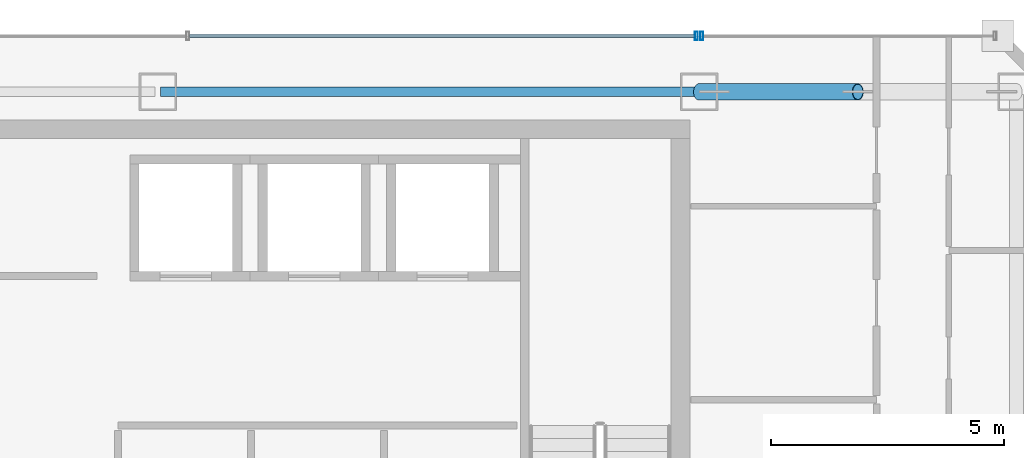
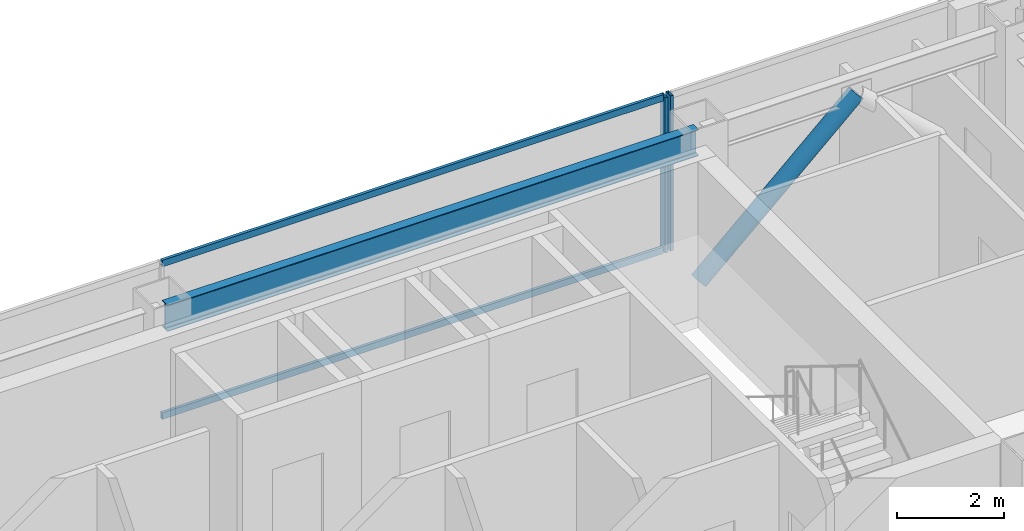
# One storey, part 22 of 33: 5 members, 1 beam, 2 elements without a shape of their own.
"""IFC4 building model written with IfcOpenShell, lengths in metres."""

from ifc_helpers import new_model, si_unit, direction, frame, origin, origin_2d, place, context, subcontext, project, spatial, hollow_rectangle, hollow_circle, i_section, extrude, material, material_profile, profile_set, type_object, element, aggregate, save


model = new_model("IFC4")

# Units and contexts
model_context = context("Model", 3, precision=1e-05, world=origin(), true_north=direction((0.0, 1.0)))
body_context = subcontext(model_context, "Body", "Model", "MODEL_VIEW")
ifc_project = project(units=[si_unit("LENGTHUNIT", "METRE"), si_unit("AREAUNIT", "SQUARE_METRE"), si_unit("VOLUMEUNIT", "CUBIC_METRE"), si_unit("PLANEANGLEUNIT", "RADIAN"), si_unit("MASSUNIT", "GRAM", prefix="KILO")], contexts=[model_context])

# Site, building, storey
site_placement = place(None, origin())
site = spatial("IfcSite", under=ifc_project, at=site_placement, CompositionType="ELEMENT")
building_placement = place(site_placement, origin())
building = spatial("IfcBuilding", under=site, at=building_placement, Name="Saevonmaru Cultural Tower", CompositionType="ELEMENT")
storey_placement = place(building_placement, frame((0.0, 0.0, 238.199951171875)))
storey = spatial("IfcBuildingStorey", under=building, at=storey_placement, Name="L55", CompositionType="ELEMENT", Elevation=238.199951171875)

# Beam
ifc_material_1 = material(Name="Steel SM355", Category="steel")
ifc_material_profile_1 = material_profile(ifc_material_1, i_section(OverallWidth=0.199951171875, OverallDepth=0.60009765625, WebThickness=0.010986328125, FlangeThickness=0.01708984375, FilletRadius=0.02197265625, at=origin_2d()), Name="H-600x200x11x17")
ifc_profile_set_1 = profile_set([ifc_material_profile_1], Name="Steel SM355")
beam_type = type_object("IfcBeamType", Name="BM-SP-H600", PredefinedType="SPANDREL", material=ifc_profile_set_1)
beam_placement = place(storey_placement, frame((34.860107421875, 54.800048828125, 3.25), z_axis=(1.0, 0.0, 0.0), x_axis=(0.0, 1.0, 0.0)))
element("IfcBeam", 1, at=beam_placement, inside=storey, type_object=beam_type, Name="L55 North Spine Girder 4", PredefinedType="SPANDREL", context=body_context, shape_type="SweptSolid", body=[
    extrude(i_section(OverallWidth=0.199951171875, OverallDepth=0.60009765625, WebThickness=0.010986328125, FlangeThickness=0.01708984375, FilletRadius=0.02197265625, at=origin_2d()), origin(), (0.0, 0.0, 1.0), 11.47998046875),
])

# Member
ifc_material_profile_2 = material_profile(ifc_material_1, hollow_circle(Radius=0.177734375, WallThickness=0.01611328125, at=origin_2d()), Name="CHS-355.6x16")
ifc_profile_set_2 = profile_set([ifc_material_profile_2], Name="Steel SM355")
member_type_1 = type_object("IfcMemberType", Name="MB-PBR-CHS356", PredefinedType="BRACE", material=ifc_profile_set_2)
member_1_placement = place(storey_placement, frame((46.39990234375, 54.800048828125, 0.02001953125), z_axis=(0.738959728749, 0.0, 0.673749596873), x_axis=(0.0, 1.0, 0.0)))
element("IfcMember", 2, at=member_1_placement, inside=storey, type_object=member_type_1, Name="L55 Perimeter Braced-Tube Diagonal EN1", PredefinedType="BRACE", context=body_context, shape_type="SweptSolid", body=[
    extrude(hollow_circle(Radius=0.177734375, WallThickness=0.01611328125, at=origin_2d()), origin(), (0.0, 0.0, 1.0), 4.601318359375),
])

# Curtain wall, member
ifc_material_2 = material(Name="Satin Bronze Anodised Aluminium", Category="aluminium")
curtain_wall_type = type_object("IfcCurtainWallType", Name="CW-TYP-B", PredefinedType="NOTDEFINED", material=ifc_material_2)
curtain_wall_1_placement = place(storey_placement, origin())
curtain_wall_1 = element("IfcCurtainWall", 3, at=curtain_wall_1_placement, inside=storey, type_object=curtain_wall_type, Name="L55 East Braced Bay Spandrel Curtain Wall E10A", PredefinedType="NOTDEFINED")
ifc_material_profile_3 = material_profile(ifc_material_2, hollow_rectangle(XDim=0.06494140625, YDim=0.179931640625, WallThickness=0.00390625, at=origin_2d()), Name="ALU-MULL-180x65x4")
ifc_profile_set_3 = profile_set([ifc_material_profile_3], Name="Satin Bronze Anodised Aluminium")
member_type_2 = type_object("IfcMemberType", Name="ML-CW-180x65", PredefinedType="MULLION", material=ifc_profile_set_3)
member_2_placement = place(storey_placement, frame((46.4599609375, 56.0, 0.0), z_axis=(0.0, 0.0, 1.0), x_axis=(-1.0, 0.0, 0.0)))
member_2 = element("IfcMember", 4, at=member_2_placement, type_object=member_type_2, Name="CW-TW-L55-E10A mullion 2", PredefinedType="MULLION", context=body_context, shape_type="SweptSolid", body=[
    extrude(hollow_rectangle(XDim=0.06494140625, YDim=0.179931640625, WallThickness=0.00390625, at=origin_2d()), origin(), (0.0, 0.0, 1.0), 3.550048828125),
])
aggregate(curtain_wall_1, [member_2])

# Curtain wall, members
curtain_wall_2_placement = place(storey_placement, origin())
curtain_wall_2 = element("IfcCurtainWall", 5, at=curtain_wall_2_placement, inside=storey, type_object=curtain_wall_type, Name="L55 North Spine Unitised Curtain Wall E10B", PredefinedType="NOTDEFINED")
member_3_placement = place(storey_placement, frame((46.340087890625, 56.0, 0.0), z_axis=(0.0, 0.0, 1.0), x_axis=(-1.0, 0.0, 0.0)))
member_3 = element("IfcMember", 6, at=member_3_placement, type_object=member_type_2, Name="CW-TW-L55-E10B mullion 1", PredefinedType="MULLION", context=body_context, shape_type="SweptSolid", body=[
    extrude(hollow_rectangle(XDim=0.06494140625, YDim=0.179931640625, WallThickness=0.00390625, at=origin_2d()), origin(), (0.0, 0.0, 1.0), 3.550048828125),
])
ifc_material_profile_4 = material_profile(ifc_material_2, hollow_rectangle(XDim=0.06494140625, YDim=0.14990234375, WallThickness=0.00390625, at=origin_2d()), Name="ALU-TRAN-150x65x4")
ifc_profile_set_4 = profile_set([ifc_material_profile_4], Name="Satin Bronze Anodised Aluminium")
member_type_3 = type_object("IfcMemberType", Name="TR-CW-150x65", PredefinedType="USERDEFINED", material=ifc_profile_set_4)
member_4_placement = place(storey_placement, frame((46.3076171875, 56.0, 0.032470703125), z_axis=(-1.0, 0.0, 0.0), x_axis=(0.0, -1.0, 0.0)))
member_4 = element("IfcMember", 7, at=member_4_placement, type_object=member_type_3, Name="CW-TW-L55-E10B transom 1.1", ObjectType="TRANSOM", PredefinedType="USERDEFINED", context=body_context, shape_type="SweptSolid", body=[
    extrude(hollow_rectangle(XDim=0.06494140625, YDim=0.14990234375, WallThickness=0.00390625, at=origin_2d()), origin(), (0.0, 0.0, 1.0), 10.828369140625),
])
member_5_placement = place(storey_placement, frame((46.3076171875, 56.0, 3.517578125), z_axis=(-1.0, 0.0, 0.0), x_axis=(0.0, -1.0, 0.0)))
member_5 = element("IfcMember", 8, at=member_5_placement, type_object=member_type_3, Name="CW-TW-L55-E10B transom 1.2", ObjectType="TRANSOM", PredefinedType="USERDEFINED", context=body_context, shape_type="SweptSolid", body=[
    extrude(hollow_rectangle(XDim=0.06494140625, YDim=0.14990234375, WallThickness=0.00390625, at=origin_2d()), origin(), (0.0, 0.0, 1.0), 10.828369140625),
])
aggregate(curtain_wall_2, [member_3, member_4, member_5])

save(model, "model.ifc")
